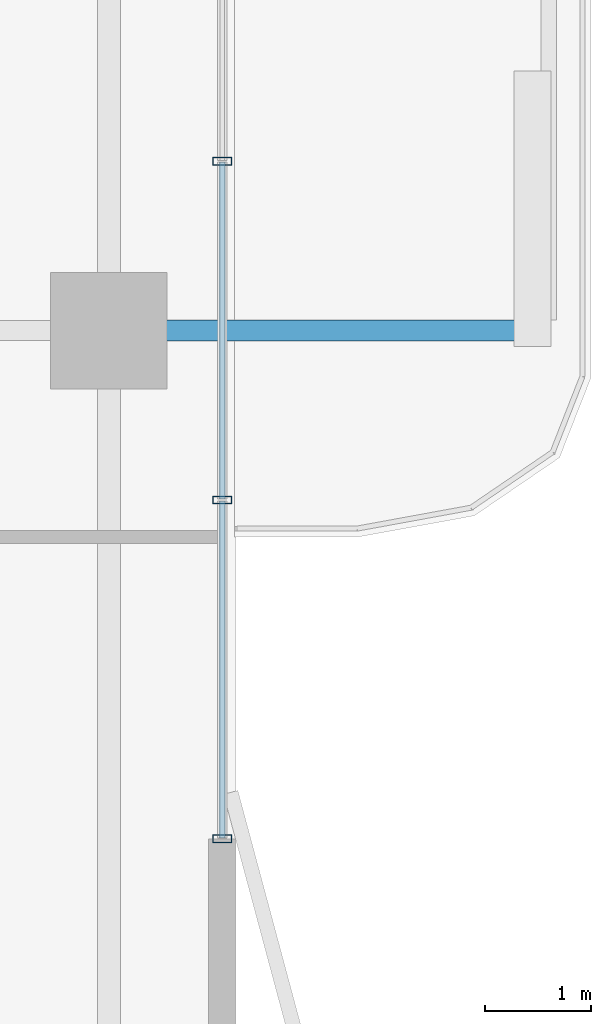
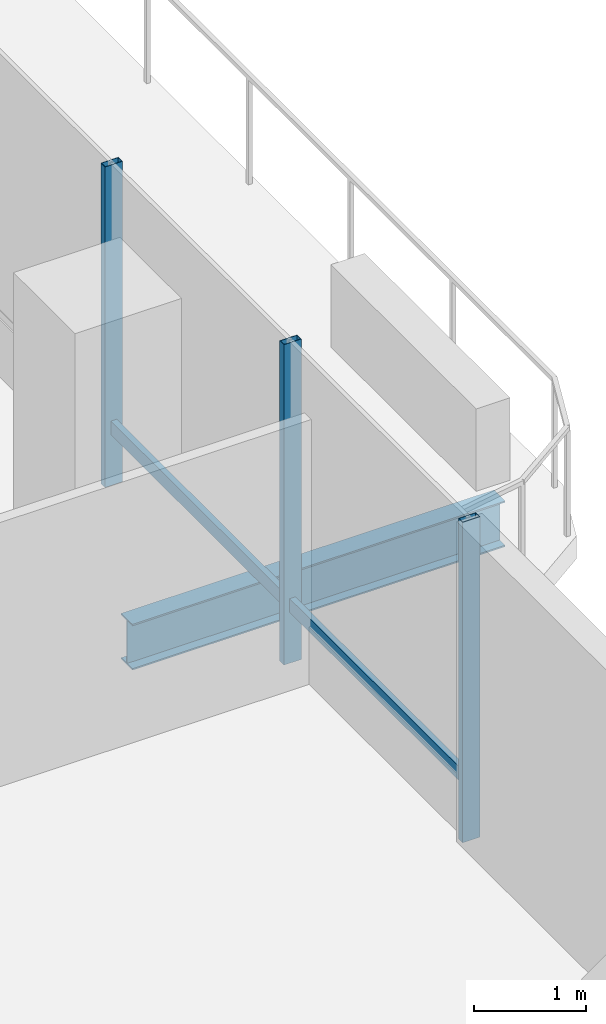
# One storey, part 8 of 24: 5 members, 1 beam, 1 element without a shape of its own.
"""IFC4 building model written with IfcOpenShell, lengths in metres."""

from ifc_helpers import new_model, si_unit, direction, frame, origin, origin_2d, place, context, subcontext, project, spatial, hollow_rectangle, i_section, extrude, material, layer, layer_set, material_profile, profile_set, type_object, element, aggregate, save


model = new_model("IFC4")

# Units and contexts
model_context = context("Model", 3, precision=1e-05, world=origin(), true_north=direction((0.0, 1.0)))
body_context = subcontext(model_context, "Body", "Model", "MODEL_VIEW")
ifc_project = project(units=[si_unit("LENGTHUNIT", "METRE"), si_unit("AREAUNIT", "SQUARE_METRE"), si_unit("VOLUMEUNIT", "CUBIC_METRE"), si_unit("PLANEANGLEUNIT", "RADIAN"), si_unit("MASSUNIT", "GRAM", prefix="KILO")], contexts=[model_context])

# Site, building, storey
site_placement = place(None, origin())
site = spatial("IfcSite", under=ifc_project, at=site_placement, CompositionType="ELEMENT")
building_placement = place(site_placement, origin())
building = spatial("IfcBuilding", under=site, at=building_placement, Name="Belovzor Exchange Tower", CompositionType="ELEMENT")
storey_placement = place(building_placement, frame((0.0, 0.0, 214.949951171875)))
storey = spatial("IfcBuildingStorey", under=building, at=storey_placement, Name="L53", CompositionType="ELEMENT", Elevation=214.949951171875)

# Beam
ifc_material_1 = material(Name="Steel S355", Category="steel")
ifc_material_profile_1 = material_profile(ifc_material_1, i_section(OverallWidth=0.199951171875, OverallDepth=0.5, WebThickness=0.01025390625, FlangeThickness=0.01611328125, at=origin_2d()))
ifc_profile_set_1 = profile_set([ifc_material_profile_1], Name="Steel S355")
beam_type = type_object("IfcBeamType", Name="Planted Balcony Cantilever Beam IPE 500", PredefinedType="BEAM", material=ifc_profile_set_1)
beam_placement = place(storey_placement, frame((54.903076171875, 28.800048828125, -0.5), z_axis=(1.0, 0.0, 0.0), x_axis=(0.0, 1.0, 0.0)))
element("IfcBeam", 1, at=beam_placement, inside=storey, type_object=beam_type, Name="BC-500 Planted Balcony Cantilever Beam IPE 500", PredefinedType="BEAM", context=body_context, shape_type="SweptSolid", body=[
    extrude(i_section(OverallWidth=0.199951171875, OverallDepth=0.5, WebThickness=0.01025390625, FlangeThickness=0.01611328125, at=origin_2d()), origin(), (0.0, 0.0, 1.0), 3.849853515625),
])

# Curtain wall, members
ifc_material_2 = material(Name="Anodised Aluminium Framing", Category="aluminium")
ifc_layer = layer(ifc_material_2, 0.179931640625)
ifc_layer_set = layer_set([ifc_layer], Name="Anodised Aluminium Framing")
curtain_wall_type = type_object("IfcCurtainWallType", Name="Recessed Loggia Low-Iron Triple-Glazed Curtain Wall", PredefinedType="NOTDEFINED", material=ifc_layer_set)
curtain_wall_placement = place(storey_placement, origin())
curtain_wall = element("IfcCurtainWall", 2, at=curtain_wall_placement, inside=storey, type_object=curtain_wall_type, Name="CW3 Recessed Loggia Low-Iron Triple-Glazed Curtain Wall L53", PredefinedType="NOTDEFINED")
ifc_material_3 = material(Name="Steel S355", Category="steel")
ifc_material_profile_2 = material_profile(ifc_material_3, hollow_rectangle(XDim=0.074951171875, YDim=0.179931640625, WallThickness=0.0048828125, at=origin_2d()))
ifc_profile_set_2 = profile_set([ifc_material_profile_2], Name="Steel S355")
member_type_1 = type_object("IfcMemberType", Name="Thermally Broken Curtain Wall Mullion 180x75", PredefinedType="MULLION", material=ifc_profile_set_2)
member_1_placement = place(storey_placement, frame((55.669921875, 30.39990234375, 0.0), z_axis=(0.0, 0.0, 1.0), x_axis=(0.0, -1.0, 0.0)))
member_1 = element("IfcMember", 3, at=member_1_placement, type_object=member_type_1, Name="CW-M180 Curtain Wall Mullion 2", PredefinedType="MULLION", context=body_context, shape_type="SweptSolid", body=[
    extrude(hollow_rectangle(XDim=0.074951171875, YDim=0.179931640625, WallThickness=0.0048828125, at=origin_2d()), origin(), (0.0, 0.0, 1.0), 3.5),
])
member_2_placement = place(storey_placement, frame((55.669921875, 27.199951171875, 0.0), z_axis=(0.0, 0.0, 1.0), x_axis=(0.0, -1.0, 0.0)))
member_2 = element("IfcMember", 4, at=member_2_placement, type_object=member_type_1, Name="CW-M180 Curtain Wall Mullion 3", PredefinedType="MULLION", context=body_context, shape_type="SweptSolid", body=[
    extrude(hollow_rectangle(XDim=0.074951171875, YDim=0.179931640625, WallThickness=0.0048828125, at=origin_2d()), origin(), (0.0, 0.0, 1.0), 3.5),
])
member_3_placement = place(storey_placement, frame((55.669921875, 24.0, 0.0), z_axis=(0.0, 0.0, 1.0), x_axis=(0.0, -1.0, 0.0)))
member_3 = element("IfcMember", 5, at=member_3_placement, type_object=member_type_1, Name="CW-M180 Curtain Wall Mullion 4", PredefinedType="MULLION", context=body_context, shape_type="SweptSolid", body=[
    extrude(hollow_rectangle(XDim=0.074951171875, YDim=0.179931640625, WallThickness=0.0048828125, at=origin_2d()), origin(), (0.0, 0.0, 1.0), 3.5),
])
ifc_material_4 = material(Name="Steel S355", Category="steel")
ifc_material_profile_3 = material_profile(ifc_material_4, hollow_rectangle(XDim=0.06005859375, YDim=0.14990234375, WallThickness=0.00390625, at=origin_2d()))
ifc_profile_set_3 = profile_set([ifc_material_profile_3], Name="Steel S355")
member_type_2 = type_object("IfcMemberType", Name="Thermally Broken Curtain Wall Transom 150x60", PredefinedType="USERDEFINED", material=ifc_profile_set_3)
member_4_placement = place(storey_placement, frame((55.669921875, 30.39208984375, 0.630126953125), z_axis=(0.0, -1.0, 0.0), x_axis=(1.0, 0.0, 0.0)))
member_4 = element("IfcMember", 6, at=member_4_placement, type_object=member_type_2, Name="CW-T150 Curtain Wall Transom 2", ObjectType="TRANSOM", PredefinedType="USERDEFINED", context=body_context, shape_type="SweptSolid", body=[
    extrude(hollow_rectangle(XDim=0.06005859375, YDim=0.14990234375, WallThickness=0.00390625, at=origin_2d()), origin(), (0.0, 0.0, 1.0), 3.18408203125),
])
member_5_placement = place(storey_placement, frame((55.669921875, 27.19189453125, 0.630126953125), z_axis=(0.0, -1.0, 0.0), x_axis=(1.0, 0.0, 0.0)))
member_5 = element("IfcMember", 7, at=member_5_placement, type_object=member_type_2, Name="CW-T150 Curtain Wall Transom 3", ObjectType="TRANSOM", PredefinedType="USERDEFINED", context=body_context, shape_type="SweptSolid", body=[
    extrude(hollow_rectangle(XDim=0.06005859375, YDim=0.14990234375, WallThickness=0.00390625, at=origin_2d()), origin(), (0.0, 0.0, 1.0), 3.183837890625),
])
aggregate(curtain_wall, [member_1, member_2, member_3, member_4, member_5])

save(model, "model.ifc")
